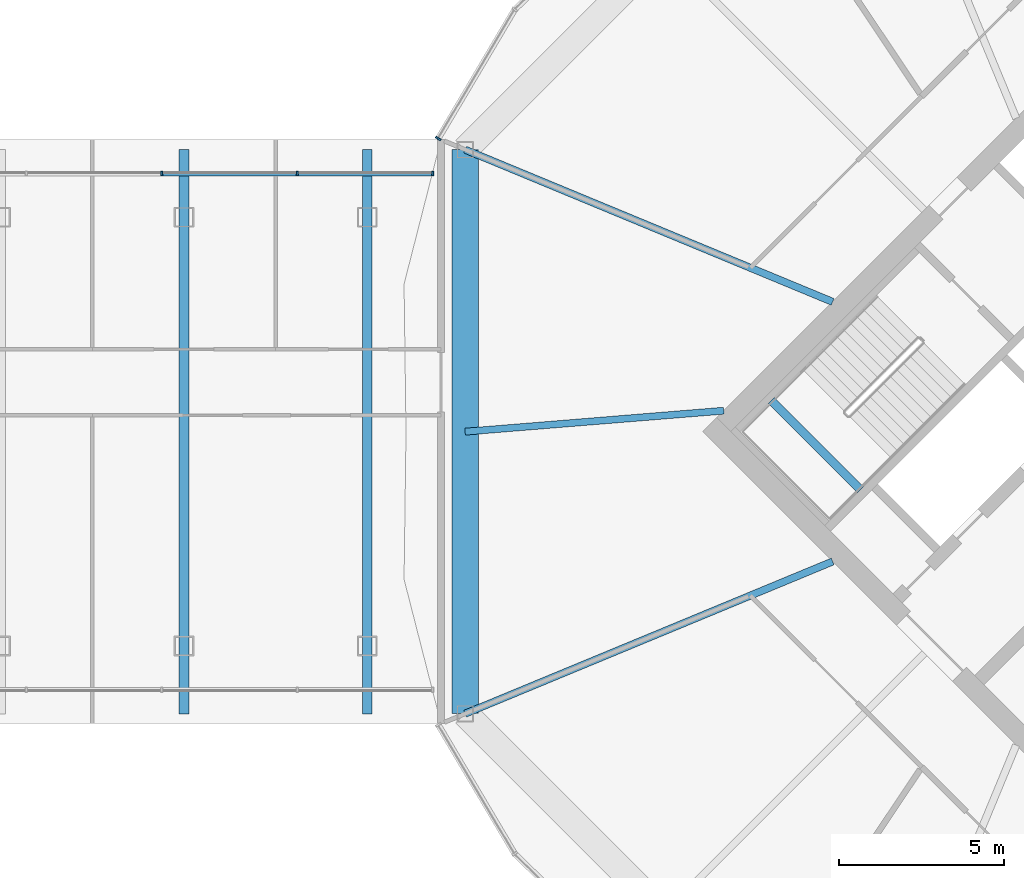
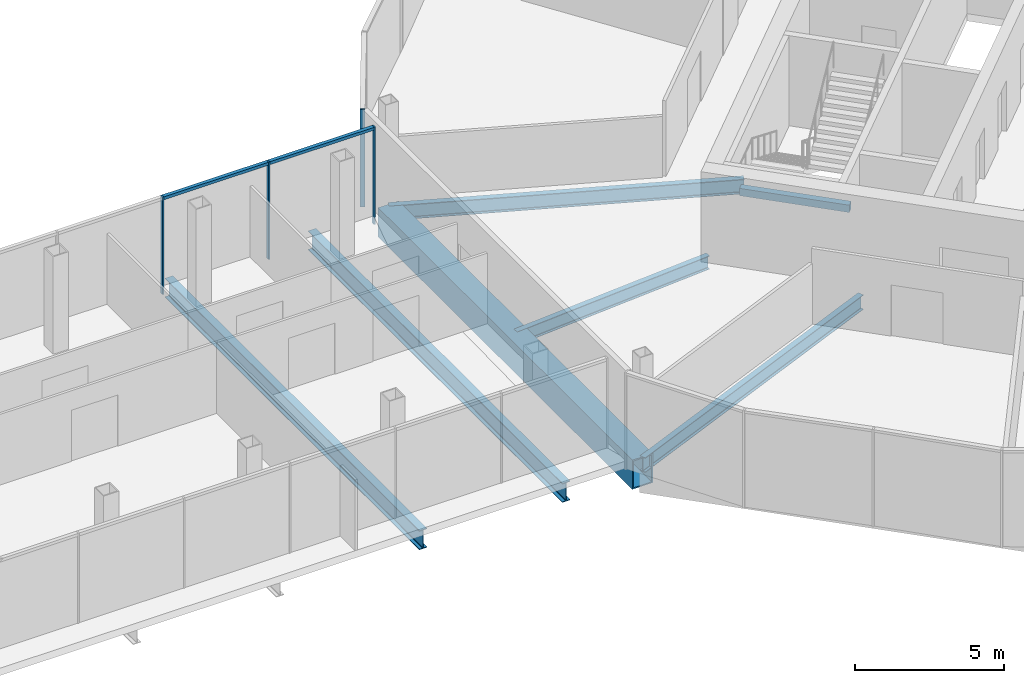
# One storey, part 13 of 25: 7 beams, 6 members, 2 elements without a shape of their own.
"""IFC4 building model written with IfcOpenShell, lengths in metres."""

from ifc_helpers import new_model, si_unit, direction, frame, origin, origin_2d, place, context, subcontext, project, spatial, rectangle, hollow_rectangle, i_section, extrude, material, material_profile, profile_set, type_object, element, aggregate, save


model = new_model("IFC4")

# Units and contexts
model_context = context("Model", 3, precision=1e-05, world=origin(), true_north=direction((0.0, 1.0)))
body_context = subcontext(model_context, "Body", "Model", "MODEL_VIEW")
ifc_project = project(units=[si_unit("LENGTHUNIT", "METRE"), si_unit("AREAUNIT", "SQUARE_METRE"), si_unit("VOLUMEUNIT", "CUBIC_METRE"), si_unit("PLANEANGLEUNIT", "RADIAN"), si_unit("MASSUNIT", "GRAM", prefix="KILO")], contexts=[model_context])

# Site, building, storey
site_placement = place(None, origin())
site = spatial("IfcSite", under=ifc_project, at=site_placement, CompositionType="ELEMENT")
building_placement = place(site_placement, origin())
building = spatial("IfcBuilding", under=site, at=building_placement, Name="Ogive Gate Towers", CompositionType="ELEMENT")
storey_placement = place(building_placement, frame((0.0, 0.0, 152.800048828125)))
storey = spatial("IfcBuildingStorey", under=building, at=storey_placement, Name="L36", CompositionType="ELEMENT", Elevation=152.800048828125)

# Beams
ifc_material_1 = material(Name="Steel SM460", Category="steel")
ifc_material_profile_1 = material_profile(ifc_material_1, i_section(OverallWidth=0.300048828125, OverallDepth=0.7900390625, WebThickness=0.014892578125, FlangeThickness=0.028076171875, FilletRadius=0.030029296875, at=origin_2d()), Name="HE 800 A")
ifc_profile_set_1 = profile_set([ifc_material_profile_1], Name="Steel SM460")
beam_type_1 = type_object("IfcBeamType", Name="Block floor beam HE 800 A", PredefinedType="BEAM", material=ifc_profile_set_1)
for number, where, z_axis, x_axis, name in (
    (1, (6.8388671875, -8.551513671875, -0.695068359375), (0.0, 1.0, 0.0), (-1.0, 0.0, 0.0), "BR/L36/SBM004"),
    (2, (12.3955078125, -8.551513671875, -0.695068359375), (0.0, 1.0, 0.0), (-1.0, 0.0, 0.0), "BR/L36/SBM005"),
):
    element("IfcBeam", number, at=place(storey_placement, frame(where, z_axis=z_axis, x_axis=x_axis)), inside=storey, type_object=beam_type_1, Name=name, PredefinedType="BEAM", context=body_context, shape_type="SweptSolid", body=[
        extrude(i_section(OverallWidth=0.300048828125, OverallDepth=0.7900390625, WebThickness=0.014892578125, FlangeThickness=0.028076171875, FilletRadius=0.030029296875, at=origin_2d()), origin(), (0.0, 0.0, 1.0), 17.10302734375),
    ])
ifc_material_profile_2 = material_profile(ifc_material_1, hollow_rectangle(XDim=0.800048828125, YDim=1.199951171875, WallThickness=0.050048828125, at=origin_2d()), Name="BX 1200x800x50")
ifc_profile_set_2 = profile_set([ifc_material_profile_2], Name="Steel SM460")
beam_type_2 = type_object("IfcBeamType", Name="Edge girder BX 1200x800x50", PredefinedType="BEAM", material=ifc_profile_set_2)
beam_1_placement = place(storey_placement, frame((15.360595703125, 8.549072265625, -0.900146484375), z_axis=(0.0, -1.0, 0.0), x_axis=(1.0, 0.0, 0.0)))
element("IfcBeam", 3, at=beam_1_placement, inside=storey, type_object=beam_type_2, Name="T2/L36/SBM024", PredefinedType="BEAM", context=body_context, shape_type="SweptSolid", body=[
    extrude(hollow_rectangle(XDim=0.800048828125, YDim=1.199951171875, WallThickness=0.050048828125, at=origin_2d()), origin(), (0.0, 0.0, 1.0), 17.09814453125),
])

# Curtain wall, members
ifc_material_2 = material(Name="Pale metal aluminium", Category="aluminium")
curtain_wall_type_1 = type_object("IfcCurtainWallType", Name="Gate block facade", PredefinedType="NOTDEFINED", material=ifc_material_2)
curtain_wall_1_placement = place(storey_placement, origin())
curtain_wall_1 = element("IfcCurtainWall", 4, at=curtain_wall_1_placement, inside=storey, type_object=curtain_wall_type_1, Name="CW3 BR ECW02", PredefinedType="NOTDEFINED")
ifc_material_profile_3 = material_profile(ifc_material_2, rectangle(XDim=0.139892578125, YDim=0.06005859375, at=origin_2d()), Name="60 x 140 aluminium box")
ifc_profile_set_3 = profile_set([ifc_material_profile_3], Name="Pale metal aluminium")
member_type_1 = type_object("IfcMemberType", Name="Gate block facade mullion 60 x 140", PredefinedType="MULLION", material=ifc_profile_set_3)
member_1_placement = place(storey_placement, frame((14.374755859375, 7.821533203125, -0.300048828125), z_axis=(0.0, 0.0, 1.0), x_axis=(0.0, 1.0, 0.0)))
member_1 = element("IfcMember", 5, at=member_1_placement, type_object=member_type_1, Name="CW3 mullion", PredefinedType="MULLION", context=body_context, shape_type="SweptSolid", body=[
    extrude(rectangle(XDim=0.139892578125, YDim=0.06005859375, at=origin_2d()), origin(), (0.0, 0.0, 1.0), 4.0),
])
member_2_placement = place(storey_placement, frame((10.267578125, 7.821533203125, -0.300048828125), z_axis=(0.0, 0.0, 1.0), x_axis=(0.0, 1.0, 0.0)))
member_2 = element("IfcMember", 6, at=member_2_placement, type_object=member_type_1, Name="CW3 mullion", PredefinedType="MULLION", context=body_context, shape_type="SweptSolid", body=[
    extrude(rectangle(XDim=0.139892578125, YDim=0.06005859375, at=origin_2d()), origin(), (0.0, 0.0, 1.0), 4.0),
])
member_3_placement = place(storey_placement, frame((6.16064453125, 7.821533203125, -0.300048828125), z_axis=(0.0, 0.0, 1.0), x_axis=(0.0, 1.0, 0.0)))
member_3 = element("IfcMember", 7, at=member_3_placement, type_object=member_type_1, Name="CW3 mullion", PredefinedType="MULLION", context=body_context, shape_type="SweptSolid", body=[
    extrude(rectangle(XDim=0.139892578125, YDim=0.06005859375, at=origin_2d()), origin(), (0.0, 0.0, 1.0), 4.0),
])
ifc_material_profile_4 = material_profile(ifc_material_2, rectangle(XDim=0.139892578125, YDim=0.1201171875, at=origin_2d()), Name="120 x 140 aluminium box")
ifc_profile_set_4 = profile_set([ifc_material_profile_4], Name="Pale metal aluminium")
member_type_2 = type_object("IfcMemberType", Name="Gate block facade transom 120 x 140", PredefinedType="USERDEFINED", material=ifc_profile_set_4)
member_4_placement = place(storey_placement, frame((14.3447265625, 7.821533203125, 3.639892578125), z_axis=(-1.0, 0.0, 0.0), x_axis=(0.0, -1.0, 0.0)))
member_4 = element("IfcMember", 8, at=member_4_placement, type_object=member_type_2, Name="CW3 transom", ObjectType="TRANSOM", PredefinedType="USERDEFINED", context=body_context, shape_type="SweptSolid", body=[
    extrude(rectangle(XDim=0.139892578125, YDim=0.1201171875, at=origin_2d()), origin(), (0.0, 0.0, 1.0), 4.047119140625),
])
member_5_placement = place(storey_placement, frame((10.23779296875, 7.821533203125, 3.639892578125), z_axis=(-1.0, 0.0, 0.0), x_axis=(0.0, -1.0, 0.0)))
member_5 = element("IfcMember", 9, at=member_5_placement, type_object=member_type_2, Name="CW3 transom", ObjectType="TRANSOM", PredefinedType="USERDEFINED", context=body_context, shape_type="SweptSolid", body=[
    extrude(rectangle(XDim=0.139892578125, YDim=0.1201171875, at=origin_2d()), origin(), (0.0, 0.0, 1.0), 4.047119140625),
])
aggregate(curtain_wall_1, [member_1, member_2, member_4, member_3, member_5])

# Beams
ifc_material_3 = material(Name="Concrete C40/50", Category="concrete")
ifc_material_profile_5 = material_profile(ifc_material_3, rectangle(XDim=0.25, YDim=0.300048828125, at=origin_2d()), Name="RC 250x300")
ifc_profile_set_5 = profile_set([ifc_material_profile_5], Name="Concrete C40/50")
beam_type_3 = type_object("IfcBeamType", Name="Landing bearer RC 250x300", PredefinedType="BEAM", material=ifc_profile_set_5)
beam_2_placement = place(storey_placement, frame((24.64111328125, 0.94482421875, 1.64990234375), z_axis=(0.707138693938, -0.707074866995, 0.0), x_axis=(0.707074866995, 0.707138693938, 0.0)))
element("IfcBeam", 10, at=beam_2_placement, inside=storey, type_object=beam_type_3, Name="T2 L36 stair 1 landing bearer 1", PredefinedType="BEAM", context=body_context, shape_type="SweptSolid", body=[
    extrude(rectangle(XDim=0.25, YDim=0.300048828125, at=origin_2d()), origin(), (0.0, 0.0, 1.0), 3.824951171875),
])
ifc_material_4 = material(Name="Steel SM355", Category="steel")
ifc_material_profile_6 = material_profile(ifc_material_4, i_section(OverallWidth=0.2099609375, OverallDepth=0.550048828125, WebThickness=0.010986328125, FlangeThickness=0.01708984375, FilletRadius=0.02392578125, at=origin_2d()), Name="IPE 550")
ifc_profile_set_6 = profile_set([ifc_material_profile_6], Name="Steel SM355")
beam_type_4 = type_object("IfcBeamType", Name="Radial floor beam IPE 550", PredefinedType="BEAM", material=ifc_profile_set_6)
beam_3_placement = place(storey_placement, frame((23.201416015625, 0.636474609375, -0.574951171875), z_axis=(-0.996721544062, -0.080908365468, 0.0), x_axis=(0.080908365468, -0.996721544062, 0.0)))
element("IfcBeam", 11, at=beam_3_placement, inside=storey, type_object=beam_type_4, Name="T2/L36/SBM016", PredefinedType="BEAM", context=body_context, shape_type="SweptSolid", body=[
    extrude(i_section(OverallWidth=0.2099609375, OverallDepth=0.550048828125, WebThickness=0.010986328125, FlangeThickness=0.01708984375, FilletRadius=0.02392578125, at=origin_2d()), origin(), (0.0, 0.0, 1.0), 7.86669921875),
])
ifc_material_profile_7 = material_profile(ifc_material_4, i_section(OverallWidth=0.219970703125, OverallDepth=0.60009765625, WebThickness=0.011962890625, FlangeThickness=0.01904296875, FilletRadius=0.02392578125, at=origin_2d()), Name="IPE 600")
ifc_profile_set_7 = profile_set([ifc_material_profile_7], Name="Steel SM355")
beam_type_5 = type_object("IfcBeamType", Name="Radial floor beam IPE 600", PredefinedType="BEAM", material=ifc_profile_set_7)
for number, where, z_axis, x_axis, name in (
    (12, (26.5, -3.93505859375, -0.60009765625), (-0.923881839184, -0.382677863518, 0.0), (0.382677863518, -0.923881839184, 0.0), "T2/L36/SBM001"),
    (13, (26.5, 3.93505859375, -0.60009765625), (-0.923881839184, 0.382677863518, 0.0), (-0.382677863518, -0.923881839184, 0.0), "T2/L36/SBM015"),
):
    element("IfcBeam", number, at=place(storey_placement, frame(where, z_axis=z_axis, x_axis=x_axis)), inside=storey, type_object=beam_type_5, Name=name, PredefinedType="BEAM", context=body_context, shape_type="SweptSolid", body=[
        extrude(i_section(OverallWidth=0.219970703125, OverallDepth=0.60009765625, WebThickness=0.011962890625, FlangeThickness=0.01904296875, FilletRadius=0.02392578125, at=origin_2d()), origin(), (0.0, 0.0, 1.0), 12.05712890625),
    ])

# Curtain wall, member
curtain_wall_type_2 = type_object("IfcCurtainWallType", Name="Tower unitised wall, high zone", PredefinedType="NOTDEFINED", material=ifc_material_2)
curtain_wall_2_placement = place(storey_placement, origin())
curtain_wall_2 = element("IfcCurtainWall", 14, at=curtain_wall_2_placement, inside=storey, type_object=curtain_wall_type_2, Name="CW2 T2 ECW04", PredefinedType="NOTDEFINED")
ifc_material_profile_8 = material_profile(ifc_material_2, rectangle(XDim=0.179931640625, YDim=0.06005859375, at=origin_2d()), Name="60 x 180 aluminium box")
ifc_profile_set_8 = profile_set([ifc_material_profile_8], Name="Pale metal aluminium")
member_type_3 = type_object("IfcMemberType", Name="Tower unitised wall, high zone mullion 60 x 180", PredefinedType="MULLION", material=ifc_profile_set_8)
member_6_placement = place(storey_placement, frame((14.5458984375, 8.885009765625, -0.300048828125), z_axis=(0.0, 0.0, 1.0), x_axis=(-0.860306374302, 0.509777345844, 0.0)))
member_6 = element("IfcMember", 15, at=member_6_placement, type_object=member_type_3, Name="CW2 mullion", PredefinedType="MULLION", context=body_context, shape_type="SweptSolid", body=[
    extrude(rectangle(XDim=0.179931640625, YDim=0.06005859375, at=origin_2d()), origin(), (0.0, 0.0, 1.0), 4.0),
])
aggregate(curtain_wall_2, [member_6])

save(model, "model.ifc")
